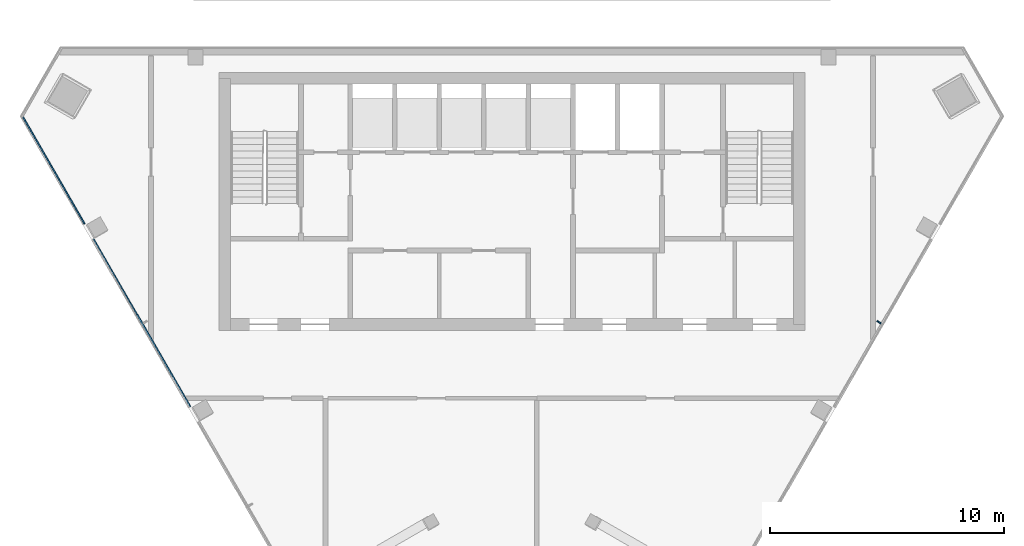
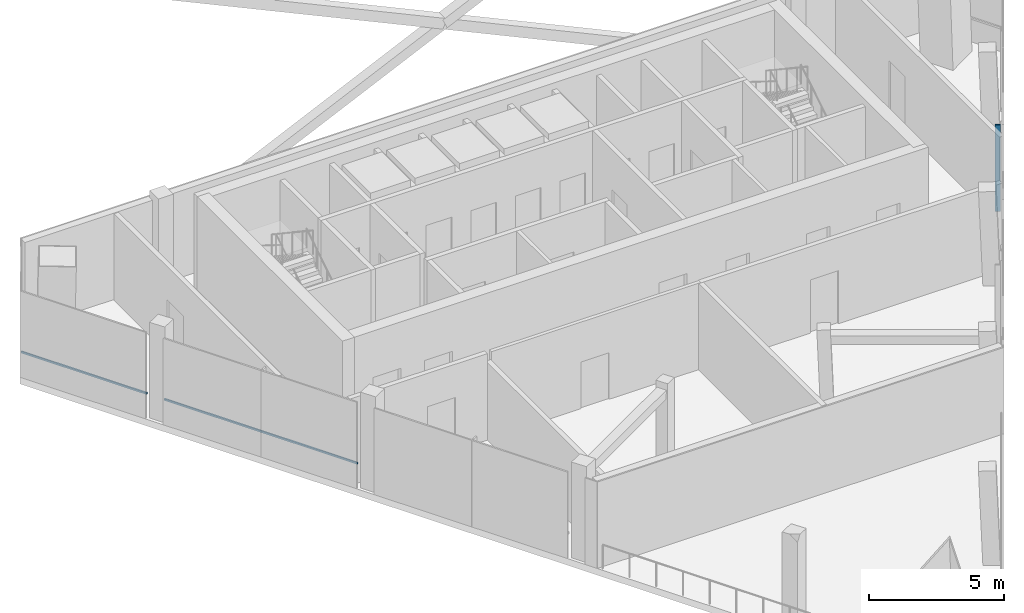
# One storey, part 3 of 8: 3 members, 2 elements without a shape of their own.
"""IFC4 building model written with IfcOpenShell, lengths in metres."""

from ifc_helpers import new_model, si_unit, direction, frame, origin, origin_2d, place, context, subcontext, project, spatial, rectangle, extrude, material, layer, layer_set, material_profile, profile_set, type_object, element, aggregate, save


model = new_model("IFC4")

# Units and contexts
model_context = context("Model", 3, precision=1e-05, world=origin(), true_north=direction((0.0, 1.0)))
body_context = subcontext(model_context, "Body", "Model", "MODEL_VIEW")
ifc_project = project(units=[si_unit("LENGTHUNIT", "METRE"), si_unit("AREAUNIT", "SQUARE_METRE"), si_unit("VOLUMEUNIT", "CUBIC_METRE"), si_unit("PLANEANGLEUNIT", "RADIAN"), si_unit("MASSUNIT", "GRAM", prefix="KILO")], contexts=[model_context])

# Site, building, storey
site_placement = place(None, origin())
site = spatial("IfcSite", under=ifc_project, at=site_placement, CompositionType="ELEMENT")
building_placement = place(site_placement, origin())
building = spatial("IfcBuilding", under=site, at=building_placement, Name="Altiplano Prism Tower", CompositionType="ELEMENT")
storey_placement = place(building_placement, frame((0.0, 0.0, 334.60009765625)))
storey = spatial("IfcBuildingStorey", under=building, at=storey_placement, Name="L87", CompositionType="ELEMENT", Elevation=334.60009765625)

# Curtain wall, member
ifc_material_1 = material(Name="Aluminium and glass", Category="aluminium")
ifc_layer = layer(ifc_material_1, 0.320068359375)
ifc_layer_set = layer_set([ifc_layer], Name="Aluminium and glass")
curtain_wall_type = type_object("IfcCurtainWallType", Name="CW6 louvred plant-floor curtain wall", PredefinedType="NOTDEFINED", material=ifc_layer_set)
curtain_wall_1_placement = place(storey_placement, origin())
curtain_wall_1 = element("IfcCurtainWall", 1, at=curtain_wall_1_placement, inside=storey, type_object=curtain_wall_type, Name="CW6 curtain wall south-east face L87", PredefinedType="NOTDEFINED")
ifc_material_2 = material(Name="Aluminium", Category="aluminium")
ifc_material_profile_1 = material_profile(ifc_material_2, rectangle(XDim=0.199951171875, YDim=0.06005859375, at=origin_2d()), Name="CW6 mullion 60 x 200")
ifc_profile_set_1 = profile_set([ifc_material_profile_1], Name="Aluminium")
member_type_1 = type_object("IfcMemberType", Name="CW6 mullion 60 x 200", PredefinedType="MULLION", material=ifc_profile_set_1)
member_1_placement = place(storey_placement, frame((100.661376953125, 93.2421875, 0.0), z_axis=(0.0, 0.0, 1.0), x_axis=(-0.866025398583, 0.500000009009, 0.0)))
member_1 = element("IfcMember", 2, at=member_1_placement, type_object=member_type_1, Name="CW6 mullion", PredefinedType="MULLION", context=body_context, shape_type="SweptSolid", body=[
    extrude(rectangle(XDim=0.199951171875, YDim=0.06005859375, at=origin_2d()), origin(), (0.0, 0.0, 1.0), 3.89990234375),
])
aggregate(curtain_wall_1, [member_1])

# Curtain wall, members
curtain_wall_2_placement = place(storey_placement, origin())
curtain_wall_2 = element("IfcCurtainWall", 3, at=curtain_wall_2_placement, inside=storey, type_object=curtain_wall_type, Name="CW6 curtain wall south-west face L87", PredefinedType="NOTDEFINED")
ifc_material_profile_2 = material_profile(ifc_material_2, rectangle(XDim=0.06005859375, YDim=0.080078125, at=origin_2d()), Name="CW6 transom 80 x 60")
ifc_profile_set_2 = profile_set([ifc_material_profile_2], Name="Aluminium")
member_type_2 = type_object("IfcMemberType", Name="CW6 transom 80 x 60", PredefinedType="USERDEFINED", material=ifc_profile_set_2)
member_2_placement = place(storey_placement, frame((64.0859375, 102.080322265625, 1.099853515625), z_axis=(0.499987815973, -0.866032438121, 0.0), x_axis=(0.866032438121, 0.499987815973, 0.0)))
member_2 = element("IfcMember", 4, at=member_2_placement, type_object=member_type_2, Name="CW6 transom", ObjectType="TRANSOM", PredefinedType="USERDEFINED", context=body_context, shape_type="SweptSolid", body=[
    extrude(rectangle(XDim=0.06005859375, YDim=0.080078125, at=origin_2d()), origin(), (0.0, 0.0, 1.0), 5.362548828125),
])
member_3_placement = place(storey_placement, frame((67.138916015625, 96.79248046875, 1.099853515625), z_axis=(0.499990359933, -0.866030969408, 0.0), x_axis=(0.866030969408, 0.499990359933, 0.0)))
member_3 = element("IfcMember", 5, at=member_3_placement, type_object=member_type_2, Name="CW6 transom", ObjectType="TRANSOM", PredefinedType="USERDEFINED", context=body_context, shape_type="SweptSolid", body=[
    extrude(rectangle(XDim=0.06005859375, YDim=0.080078125, at=origin_2d()), origin(), (0.0, 0.0, 1.0), 8.256591796875),
])
aggregate(curtain_wall_2, [member_2, member_3])

save(model, "model.ifc")
